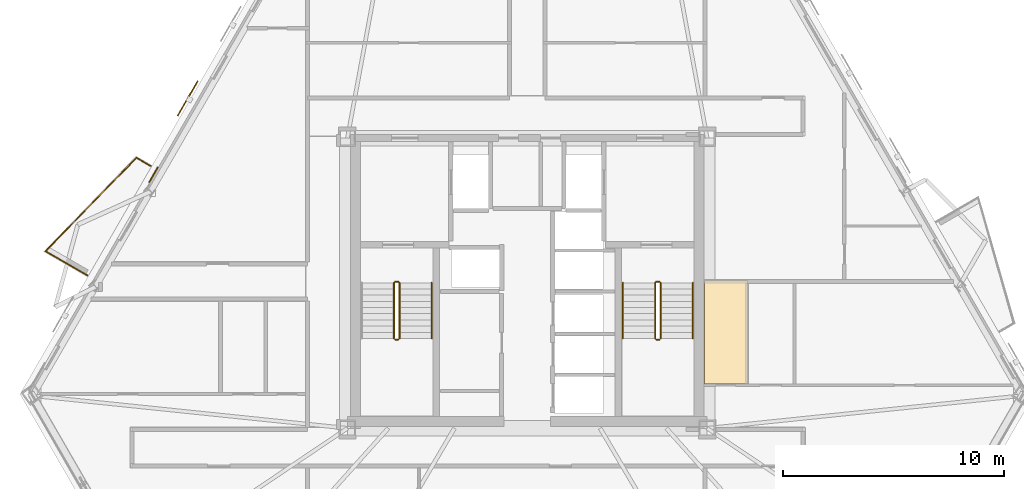
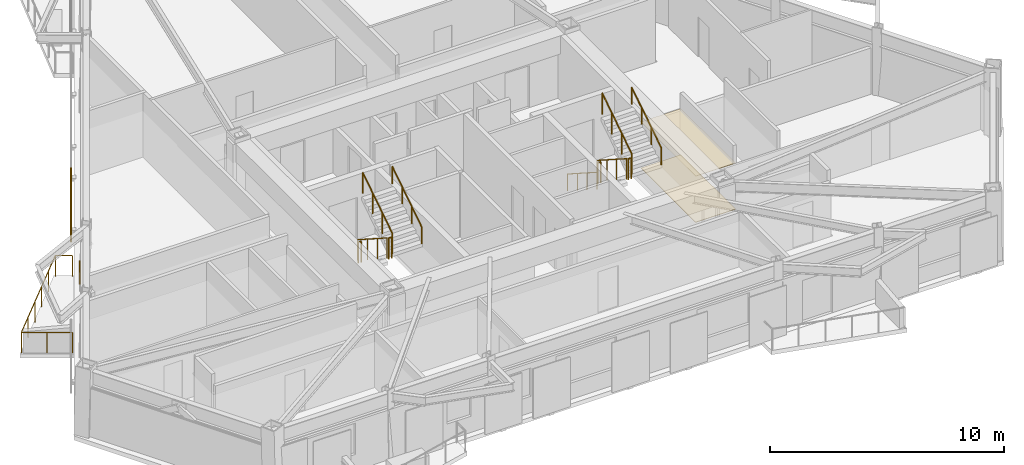
# One storey, part 8 of 9: 14 railings, 3 coverings, 1 shading device.
"""IFC4 building model written with IfcOpenShell, lengths in metres."""

from ifc_helpers import new_model, si_unit, direction, frame, origin, origin_2d, place, context, subcontext, project, spatial, polyline, rectangle, circle, outline, extrude, material, layer, layer_set, type_object, element, save


model = new_model("IFC4")

# Units and contexts
model_context = context("Model", 3, precision=1e-05, world=origin(), true_north=direction((0.0, 1.0)))
body_context = subcontext(model_context, "Body", "Model", "MODEL_VIEW")
ifc_project = project(units=[si_unit("LENGTHUNIT", "METRE"), si_unit("AREAUNIT", "SQUARE_METRE"), si_unit("VOLUMEUNIT", "CUBIC_METRE"), si_unit("PLANEANGLEUNIT", "RADIAN"), si_unit("MASSUNIT", "GRAM", prefix="KILO")], contexts=[model_context])

# Site, building, storey
site_placement = place(None, origin())
site = spatial("IfcSite", under=ifc_project, at=site_placement, CompositionType="ELEMENT")
building_placement = place(site_placement, origin())
building = spatial("IfcBuilding", under=site, at=building_placement, Name="Oramaril Tower", CompositionType="ELEMENT")
storey_placement = place(building_placement, frame((0.0, 0.0, 153.0)))
storey = spatial("IfcBuildingStorey", under=building, at=storey_placement, Name="L40", CompositionType="ELEMENT", Elevation=153.0)

# Coverings
ifc_material_1 = material(Name="Mineral Fibre Acoustic Ceiling")
ifc_layer_1 = layer(ifc_material_1, 0.02001953125)
ifc_layer_set_1 = layer_set([ifc_layer_1], Name="CVT-CEIL")
covering_type_1 = type_object("IfcCoveringType", Name="CVT-CEIL", PredefinedType="CEILING", material=ifc_layer_set_1)
covering_1_placement = place(storey_placement, frame((0.0, 0.0, 2.412109375)))
element("IfcCovering", 1, at=covering_1_placement, inside=storey, type_object=covering_type_1, Name="L40 Acoustic Suspended Ceiling 15", PredefinedType="CEILING", context=body_context, shape_type="SweptSolid", body=[
    extrude(outline(polyline([(45.51806640625, 17.69189453125), (47.491943359375, 17.69189453125), (47.491943359375, 13.00830078125), (45.51806640625, 13.00830078125), (45.51806640625, 17.69189453125)])), origin(), (0.0, 0.0, 1.0), 0.019775390625),
])
ifc_material_2 = material(Name="Warm Cream Limestone", Category="masonry")
ifc_layer_2 = layer(ifc_material_2, 0.050048828125)
ifc_layer_set_2 = layer_set([ifc_layer_2], Name="CVT-CLD")
covering_type_2 = type_object("IfcCoveringType", Name="CVT-CLD", PredefinedType="CLADDING", material=ifc_layer_set_2)
covering_2_placement = place(storey_placement, frame((20.567138671875, 22.489501953125, 0.0400390625), z_axis=(0.0, 0.0, 1.0), x_axis=(-0.5, -0.866025403784, 0.0)))
element("IfcCovering", 2, at=covering_2_placement, inside=storey, type_object=covering_type_2, Name="L40 Warm Cream Limestone Spandrel Cladding", PredefinedType="CLADDING", context=body_context, shape_type="SweptSolid", body=[
    extrude(rectangle(XDim=0.800048828125, YDim=0.050048828125, at=origin_2d()), origin(), (0.0, 0.0, 1.0), 0.679931640625),
])
ifc_material_3 = material(Name="Honed Quartzite Stone Flooring", Category="masonry")
ifc_layer_3 = layer(ifc_material_3, 0.02490234375)
ifc_layer_set_3 = layer_set([ifc_layer_3], Name="CVT-FLR")
covering_type_3 = type_object("IfcCoveringType", Name="CVT-FLR", PredefinedType="FLOORING", material=ifc_layer_set_3)
covering_3_placement = place(storey_placement, origin())
element("IfcCovering", 3, at=covering_3_placement, inside=storey, type_object=covering_type_3, Name="L40 Honed Stone Floor Finish 15", PredefinedType="FLOORING", context=body_context, shape_type="SweptSolid", body=[
    extrude(outline(polyline([(45.51806640625, 17.69189453125), (47.491943359375, 17.69189453125), (47.491943359375, 13.00830078125), (45.51806640625, 13.00830078125), (45.51806640625, 17.69189453125)])), origin(), (0.0, 0.0, 1.0), 0.02490234375),
])

# Railings
ifc_material_4 = material(Name="Stainless Steel 316L", Category="steel")
railing_type_1 = type_object("IfcRailingType", Name="RLT-GRD", PredefinedType="GUARDRAIL", material=ifc_material_4)
railing_1_placement = place(storey_placement, frame((17.567626953125, 17.92431640625, 0.0)))
element("IfcRailing", 4, at=railing_1_placement, inside=storey, type_object=railing_type_1, Name="L40 Balcony Guardrail L40-BAL-NW2.1", PredefinedType="GUARDRAIL", context=body_context, shape_type="SweptSolid", body=[
    extrude(circle(Radius=0.02392578125, at=origin_2d()), frame((0.0, 0.0, 1.076171875), z_axis=(-0.866020500697, 0.5000084923, 0.0), x_axis=(-0.5000084923, -0.866020500697, 0.0)), (0.0, 0.0, 1.0), 2.19189453125),
    extrude(circle(Radius=0.02099609375, at=origin_2d()), origin(), (0.0, 0.0, 1.0), 1.052001953125),
    extrude(circle(Radius=0.02099609375, at=origin_2d()), frame((-0.94921875, 0.5478515625, 0.0)), (0.0, 0.0, 1.0), 1.052001953125),
    extrude(circle(Radius=0.02099609375, at=origin_2d()), frame((-1.898193359375, 1.095947265625, 0.0)), (0.0, 0.0, 1.0), 1.052001953125),
])
railing_2_placement = place(storey_placement, frame((15.66943359375, 19.020263671875, 0.0)))
element("IfcRailing", 5, at=railing_2_placement, inside=storey, type_object=railing_type_1, Name="L40 Balcony Guardrail L40-BAL-NW2.2", PredefinedType="GUARDRAIL", context=body_context, shape_type="SweptSolid", body=[
    extrude(circle(Radius=0.02392578125, at=origin_2d()), frame((0.0, 0.0, 1.076171875), z_axis=(0.697186915353, 0.716889395277, 0.0), x_axis=(-0.716889395277, 0.697186915353, 0.0)), (0.0, 0.0, 1.0), 5.91064453125),
    extrude(circle(Radius=0.02099609375, at=origin_2d()), origin(), (0.0, 0.0, 1.0), 1.052001953125),
    extrude(circle(Radius=0.02099609375, at=origin_2d()), frame((0.82421875, 0.847412109375, 0.0)), (0.0, 0.0, 1.0), 1.052001953125),
    extrude(circle(Radius=0.02099609375, at=origin_2d()), frame((1.6484375, 1.69482421875, 0.0)), (0.0, 0.0, 1.0), 1.052001953125),
    extrude(circle(Radius=0.02099609375, at=origin_2d()), frame((2.472412109375, 2.54248046875, 0.0)), (0.0, 0.0, 1.0), 1.052001953125),
    extrude(circle(Radius=0.02099609375, at=origin_2d()), frame((3.296630859375, 3.389892578125, 0.0)), (0.0, 0.0, 1.0), 1.052001953125),
    extrude(circle(Radius=0.02099609375, at=origin_2d()), frame((4.120849609375, 4.2373046875, 0.0)), (0.0, 0.0, 1.0), 1.052001953125),
])
railing_3_placement = place(storey_placement, frame((19.790283203125, 23.257568359375, 0.0)))
element("IfcRailing", 6, at=railing_3_placement, inside=storey, type_object=railing_type_1, Name="L40 Balcony Guardrail L40-BAL-NW2.3", PredefinedType="GUARDRAIL", context=body_context, shape_type="SweptSolid", body=[
    extrude(circle(Radius=0.02392578125, at=origin_2d()), frame((0.0, 0.0, 1.076171875), z_axis=(0.866026623601, -0.49999788721, 0.0), x_axis=(0.49999788721, 0.866026623601, 0.0)), (0.0, 0.0, 1.0), 0.74169921875),
    extrude(circle(Radius=0.02099609375, at=origin_2d()), origin(), (0.0, 0.0, 1.0), 1.052001953125),
    extrude(circle(Radius=0.02099609375, at=origin_2d()), frame((0.642333984375, -0.370849609375, 0.0)), (0.0, 0.0, 1.0), 1.052001953125),
])
railing_4_placement = place(storey_placement, frame((31.4599609375, 17.590087890625, 0.179931640625)))
element("IfcRailing", 7, at=railing_4_placement, inside=storey, type_object=railing_type_1, Name="L40 ST-1 stair guard 1", PredefinedType="GUARDRAIL", context=body_context, shape_type="SweptSolid", body=[
    extrude(circle(Radius=0.02392578125, at=origin_2d()), frame((0.0, 0.0, 1.076171875), z_axis=(0.0, -0.841162588446, 0.540782303519), x_axis=(1.0, 0.0, 0.0)), (0.0, 0.0, 1.0), 2.995849609375),
    extrude(circle(Radius=0.02099609375, at=origin_2d()), origin(), (0.0, 0.0, 1.0), 1.052001953125),
    extrude(circle(Radius=0.02099609375, at=origin_2d()), frame((0.0, -0.840087890625, 0.5400390625)), (0.0, 0.0, 1.0), 1.052001953125),
    extrude(circle(Radius=0.02099609375, at=origin_2d()), frame((0.0, -1.679931640625, 1.080078125)), (0.0, 0.0, 1.0), 1.052001953125),
    extrude(circle(Radius=0.02099609375, at=origin_2d()), frame((0.0, -2.52001953125, 1.6201171875)), (0.0, 0.0, 1.0), 1.052001953125),
])
railing_5_placement = place(storey_placement, frame((31.510009765625, 15.02001953125, 1.800048828125)))
element("IfcRailing", 8, at=railing_5_placement, inside=storey, type_object=railing_type_1, Name="L40 ST-1 stair guard 2", PredefinedType="GUARDRAIL", context=body_context, shape_type="SweptSolid", body=[
    extrude(circle(Radius=0.02392578125, at=origin_2d()), frame((0.0, 0.0, 1.076171875), z_axis=(1.0, 0.0, 0.0), x_axis=(0.0, 1.0, 0.0)), (0.0, 0.0, 1.0), 0.14990234375),
    extrude(circle(Radius=0.02099609375, at=origin_2d()), origin(), (0.0, 0.0, 1.0), 1.052001953125),
    extrude(circle(Radius=0.02099609375, at=origin_2d()), frame((0.14990234375, 0.0, 0.0)), (0.0, 0.0, 1.0), 1.052001953125),
])
railing_6_placement = place(storey_placement, frame((31.7099609375, 15.070068359375, 1.97998046875)))
element("IfcRailing", 9, at=railing_6_placement, inside=storey, type_object=railing_type_1, Name="L40 ST-1 stair guard 3", PredefinedType="GUARDRAIL", context=body_context, shape_type="SweptSolid", body=[
    extrude(circle(Radius=0.02392578125, at=origin_2d()), frame((0.0, 0.0, 1.076171875), z_axis=(0.0, 0.841162588446, 0.540782303519), x_axis=(-1.0, 0.0, 0.0)), (0.0, 0.0, 1.0), 2.995849609375),
    extrude(circle(Radius=0.02099609375, at=origin_2d()), origin(), (0.0, 0.0, 1.0), 1.052001953125),
    extrude(circle(Radius=0.02099609375, at=origin_2d()), frame((0.0, 0.840087890625, 0.5400390625)), (0.0, 0.0, 1.0), 1.052001953125),
    extrude(circle(Radius=0.02099609375, at=origin_2d()), frame((0.0, 1.679931640625, 1.080078125)), (0.0, 0.0, 1.0), 1.052001953125),
    extrude(circle(Radius=0.02099609375, at=origin_2d()), frame((0.0, 2.52001953125, 1.6201171875)), (0.0, 0.0, 1.0), 1.052001953125),
])
railing_7_placement = place(storey_placement, frame((31.510009765625, 17.639892578125, 0.0)))
element("IfcRailing", 10, at=railing_7_placement, inside=storey, type_object=railing_type_1, Name="L40 ST-1 stair guard 4", PredefinedType="GUARDRAIL", context=body_context, shape_type="SweptSolid", body=[
    extrude(circle(Radius=0.02392578125, at=origin_2d()), frame((0.0, 0.0, 1.076171875), z_axis=(1.0, 0.0, 0.0), x_axis=(0.0, 1.0, 0.0)), (0.0, 0.0, 1.0), 0.14990234375),
    extrude(circle(Radius=0.02099609375, at=origin_2d()), origin(), (0.0, 0.0, 1.0), 1.052001953125),
    extrude(circle(Radius=0.02099609375, at=origin_2d()), frame((0.14990234375, 0.0, 0.0)), (0.0, 0.0, 1.0), 1.052001953125),
])
railing_8_placement = place(storey_placement, frame((43.2900390625, 17.590087890625, 0.179931640625)))
element("IfcRailing", 11, at=railing_8_placement, inside=storey, type_object=railing_type_1, Name="L40 ST-2 stair guard 1", PredefinedType="GUARDRAIL", context=body_context, shape_type="SweptSolid", body=[
    extrude(circle(Radius=0.02392578125, at=origin_2d()), frame((0.0, 0.0, 1.076171875), z_axis=(0.0, -0.841162588446, 0.540782303519), x_axis=(1.0, 0.0, 0.0)), (0.0, 0.0, 1.0), 2.995849609375),
    extrude(circle(Radius=0.02099609375, at=origin_2d()), origin(), (0.0, 0.0, 1.0), 1.052001953125),
    extrude(circle(Radius=0.02099609375, at=origin_2d()), frame((0.0, -0.840087890625, 0.5400390625)), (0.0, 0.0, 1.0), 1.052001953125),
    extrude(circle(Radius=0.02099609375, at=origin_2d()), frame((0.0, -1.679931640625, 1.080078125)), (0.0, 0.0, 1.0), 1.052001953125),
    extrude(circle(Radius=0.02099609375, at=origin_2d()), frame((0.0, -2.52001953125, 1.6201171875)), (0.0, 0.0, 1.0), 1.052001953125),
])
railing_9_placement = place(storey_placement, frame((43.340087890625, 15.02001953125, 1.800048828125)))
element("IfcRailing", 12, at=railing_9_placement, inside=storey, type_object=railing_type_1, Name="L40 ST-2 stair guard 2", PredefinedType="GUARDRAIL", context=body_context, shape_type="SweptSolid", body=[
    extrude(circle(Radius=0.02392578125, at=origin_2d()), frame((0.0, 0.0, 1.076171875), z_axis=(1.0, 0.0, 0.0), x_axis=(0.0, 1.0, 0.0)), (0.0, 0.0, 1.0), 0.14990234375),
    extrude(circle(Radius=0.02099609375, at=origin_2d()), origin(), (0.0, 0.0, 1.0), 1.052001953125),
    extrude(circle(Radius=0.02099609375, at=origin_2d()), frame((0.14990234375, 0.0, 0.0)), (0.0, 0.0, 1.0), 1.052001953125),
])
railing_10_placement = place(storey_placement, frame((43.5400390625, 15.070068359375, 1.97998046875)))
element("IfcRailing", 13, at=railing_10_placement, inside=storey, type_object=railing_type_1, Name="L40 ST-2 stair guard 3", PredefinedType="GUARDRAIL", context=body_context, shape_type="SweptSolid", body=[
    extrude(circle(Radius=0.02392578125, at=origin_2d()), frame((0.0, 0.0, 1.076171875), z_axis=(0.0, 0.841162588446, 0.540782303519), x_axis=(-1.0, 0.0, 0.0)), (0.0, 0.0, 1.0), 2.995849609375),
    extrude(circle(Radius=0.02099609375, at=origin_2d()), origin(), (0.0, 0.0, 1.0), 1.052001953125),
    extrude(circle(Radius=0.02099609375, at=origin_2d()), frame((0.0, 0.840087890625, 0.5400390625)), (0.0, 0.0, 1.0), 1.052001953125),
    extrude(circle(Radius=0.02099609375, at=origin_2d()), frame((0.0, 1.679931640625, 1.080078125)), (0.0, 0.0, 1.0), 1.052001953125),
    extrude(circle(Radius=0.02099609375, at=origin_2d()), frame((0.0, 2.52001953125, 1.6201171875)), (0.0, 0.0, 1.0), 1.052001953125),
])
railing_11_placement = place(storey_placement, frame((43.340087890625, 17.639892578125, 0.0)))
element("IfcRailing", 14, at=railing_11_placement, inside=storey, type_object=railing_type_1, Name="L40 ST-2 stair guard 4", PredefinedType="GUARDRAIL", context=body_context, shape_type="SweptSolid", body=[
    extrude(circle(Radius=0.02392578125, at=origin_2d()), frame((0.0, 0.0, 1.076171875), z_axis=(1.0, 0.0, 0.0), x_axis=(0.0, 1.0, 0.0)), (0.0, 0.0, 1.0), 0.14990234375),
    extrude(circle(Radius=0.02099609375, at=origin_2d()), origin(), (0.0, 0.0, 1.0), 1.052001953125),
    extrude(circle(Radius=0.02099609375, at=origin_2d()), frame((0.14990234375, 0.0, 0.0)), (0.0, 0.0, 1.0), 1.052001953125),
])
ifc_material_5 = material(Name="Stainless Steel 316L", Category="steel")
railing_type_2 = type_object("IfcRailingType", Name="RLT-HND", PredefinedType="HANDRAIL", material=ifc_material_5)
railing_12_placement = place(storey_placement, frame((33.169921875, 15.070068359375, 1.97998046875)))
element("IfcRailing", 15, at=railing_12_placement, inside=storey, type_object=railing_type_2, Name="L40 ST-1 stair handrail 2", PredefinedType="HANDRAIL", context=body_context, shape_type="SweptSolid", body=[
    extrude(circle(Radius=0.02392578125, at=origin_2d()), frame((0.0, 0.0, 0.8759765625), z_axis=(0.0, 0.841162588446, 0.540782303519), x_axis=(-1.0, 0.0, 0.0)), (0.0, 0.0, 1.0), 2.995849609375),
    extrude(circle(Radius=0.02099609375, at=origin_2d()), origin(), (0.0, 0.0, 1.0), 0.851806640625),
    extrude(circle(Radius=0.02099609375, at=origin_2d()), frame((0.0, 0.840087890625, 0.5400390625)), (0.0, 0.0, 1.0), 0.851806640625),
    extrude(circle(Radius=0.02099609375, at=origin_2d()), frame((0.0, 1.679931640625, 1.080078125)), (0.0, 0.0, 1.0), 0.851806640625),
    extrude(circle(Radius=0.02099609375, at=origin_2d()), frame((0.0, 2.52001953125, 1.6201171875)), (0.0, 0.0, 1.0), 0.851806640625),
])
railing_13_placement = place(storey_placement, frame((41.830078125, 17.590087890625, 0.179931640625)))
element("IfcRailing", 16, at=railing_13_placement, inside=storey, type_object=railing_type_2, Name="L40 ST-2 stair handrail 1", PredefinedType="HANDRAIL", context=body_context, shape_type="SweptSolid", body=[
    extrude(circle(Radius=0.02392578125, at=origin_2d()), frame((0.0, 0.0, 0.8759765625), z_axis=(0.0, -0.841162588446, 0.540782303519), x_axis=(1.0, 0.0, 0.0)), (0.0, 0.0, 1.0), 2.995849609375),
    extrude(circle(Radius=0.02099609375, at=origin_2d()), origin(), (0.0, 0.0, 1.0), 0.851806640625),
    extrude(circle(Radius=0.02099609375, at=origin_2d()), frame((0.0, -0.840087890625, 0.5400390625)), (0.0, 0.0, 1.0), 0.851806640625),
    extrude(circle(Radius=0.02099609375, at=origin_2d()), frame((0.0, -1.679931640625, 1.080078125)), (0.0, 0.0, 1.0), 0.851806640625),
    extrude(circle(Radius=0.02099609375, at=origin_2d()), frame((0.0, -2.52001953125, 1.6201171875)), (0.0, 0.0, 1.0), 0.851806640625),
])
railing_14_placement = place(storey_placement, frame((45.0, 15.070068359375, 1.97998046875)))
element("IfcRailing", 17, at=railing_14_placement, inside=storey, type_object=railing_type_2, Name="L40 ST-2 stair handrail 2", PredefinedType="HANDRAIL", context=body_context, shape_type="SweptSolid", body=[
    extrude(circle(Radius=0.02392578125, at=origin_2d()), frame((0.0, 0.0, 0.8759765625), z_axis=(0.0, 0.841162588446, 0.540782303519), x_axis=(-1.0, 0.0, 0.0)), (0.0, 0.0, 1.0), 2.995849609375),
    extrude(circle(Radius=0.02099609375, at=origin_2d()), origin(), (0.0, 0.0, 1.0), 0.851806640625),
    extrude(circle(Radius=0.02099609375, at=origin_2d()), frame((0.0, 0.840087890625, 0.5400390625)), (0.0, 0.0, 1.0), 0.851806640625),
    extrude(circle(Radius=0.02099609375, at=origin_2d()), frame((0.0, 1.679931640625, 1.080078125)), (0.0, 0.0, 1.0), 0.851806640625),
    extrude(circle(Radius=0.02099609375, at=origin_2d()), frame((0.0, 2.52001953125, 1.6201171875)), (0.0, 0.0, 1.0), 0.851806640625),
])

# Shading device
shading_device_placement = place(storey_placement, frame((22.1142578125, 25.94287109375, -0.02001953125), z_axis=(0.0, 0.0, 1.0), x_axis=(-0.5, -0.866025403784, 0.0)))
element("IfcShadingDevice", 18, at=shading_device_placement, inside=storey, Name="L40 Perforated Ceramic Solar Screen", ObjectType="SCREEN", PredefinedType="USERDEFINED", context=body_context, shape_type="SweptSolid", body=[
    extrude(rectangle(XDim=1.8330078125, YDim=0.050048828125, at=origin_2d()), origin(), (0.0, 0.0, 1.0), 2.60009765625),
])

save(model, "model.ifc")
